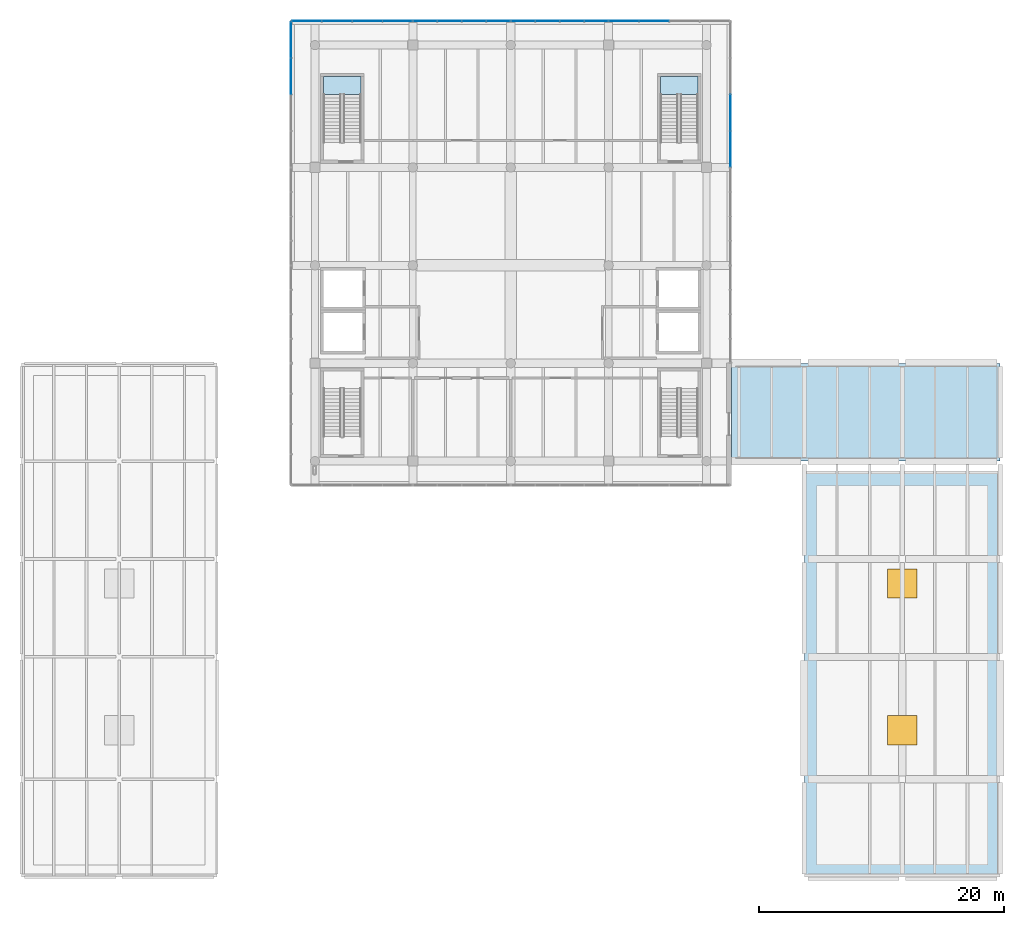
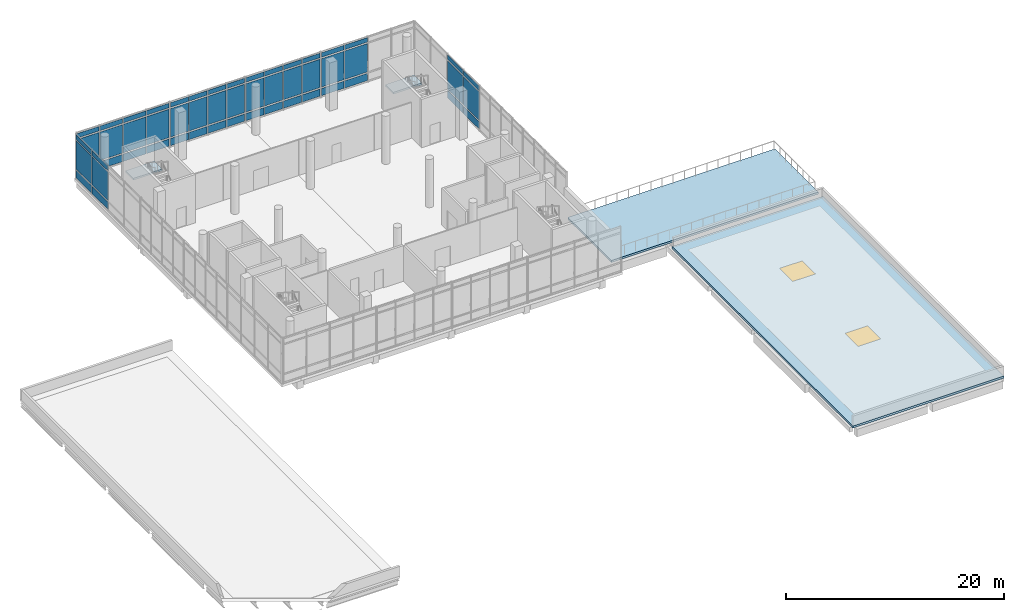
# One storey, part 12 of 20: 54 plates, 4 slabs, 2 windows, 2 openings, 8 elements without a shape of their own.
"""IFC4 building model written with IfcOpenShell, lengths in metres."""

from ifc_helpers import new_model, si_unit, direction, frame, origin, origin_2d, place, context, subcontext, project, spatial, polyline, rectangle, outline, extrude, material, layer, layer_set, type_object, element, fill, aggregate, save


model = new_model("IFC4")

# Units and contexts
model_context = context("Model", 3, precision=1e-05, world=origin(), true_north=direction((0.0, 1.0)))
body_context = subcontext(model_context, "Body", "Model", "MODEL_VIEW")
ifc_project = project(units=[si_unit("LENGTHUNIT", "METRE"), si_unit("AREAUNIT", "SQUARE_METRE"), si_unit("VOLUMEUNIT", "CUBIC_METRE"), si_unit("PLANEANGLEUNIT", "RADIAN"), si_unit("MASSUNIT", "GRAM", prefix="KILO")], contexts=[model_context])

# Site, building, storey
site_placement = place(None, origin())
site = spatial("IfcSite", under=ifc_project, at=site_placement, CompositionType="ELEMENT")
building_placement = place(site_placement, origin())
building = spatial("IfcBuilding", under=site, at=building_placement, Name="Pecanmere Concourse Central Library", CompositionType="ELEMENT")
storey_placement = place(building_placement, frame((0.0, 0.0, 24.89990234375)))
storey = spatial("IfcBuildingStorey", under=building, at=storey_placement, Name="L06", CompositionType="ELEMENT", Elevation=24.89990234375)

# Curtain wall, plates
ifc_material_1 = material(Name="Anodized bronze aluminium alloy 6063-T6", Category="aluminium")
curtain_wall_type = type_object("IfcCurtainWallType", Name="CW_PLUMB_BANDED", PredefinedType="USERDEFINED", material=ifc_material_1)
curtain_wall_1_placement = place(storey_placement, origin())
curtain_wall_1 = element("IfcCurtainWall", 1, at=curtain_wall_1_placement, inside=storey, type_object=curtain_wall_type, Name="Unitised Curtain Wall CW-02 L06-070", ObjectType="UNITISED CURTAIN WALL", PredefinedType="USERDEFINED")
ifc_material_2 = material(Name="White ceramic-fritted insulated spandrel glazing", Category="glass")
ifc_layer_1 = layer(ifc_material_2, 0.053955078125, Name="CWP_SPN_54")
ifc_layer_set_1 = layer_set([ifc_layer_1], Name="White ceramic-fritted insulated spandrel glazing")
plate_type_1 = type_object("IfcPlateType", Name="CWP_SPN_54", PredefinedType="CURTAIN_PANEL", material=ifc_layer_set_1)
plate_1_placement = place(storey_placement, frame((99.7236328125, 125.96142578125, 0.16015625), z_axis=(0.0, 0.0, 1.0), x_axis=(-1.0, 0.0, 0.0)))
plate_1 = element("IfcPlate", 2, at=plate_1_placement, type_object=plate_type_1, Name="CW-02 Spandrel Panel 3.1", PredefinedType="CURTAIN_PANEL", context=body_context, shape_type="SweptSolid", body=[
    extrude(rectangle(XDim=2.4140625, YDim=0.035888671875, at=origin_2d()), origin(), (0.0, 0.0, 1.0), 0.81005859375),
])
plate_2_placement = place(storey_placement, frame((97.2607421875, 125.96142578125, 0.16015625), z_axis=(0.0, 0.0, 1.0), x_axis=(-1.0, 0.0, 0.0)))
plate_2 = element("IfcPlate", 3, at=plate_2_placement, type_object=plate_type_1, Name="CW-02 Spandrel Panel 4.1", PredefinedType="CURTAIN_PANEL", context=body_context, shape_type="SweptSolid", body=[
    extrude(rectangle(XDim=2.381591796875, YDim=0.035888671875, at=origin_2d()), origin(), (0.0, 0.0, 1.0), 0.81005859375),
])

curtain_wall_2_placement = place(storey_placement, origin())
curtain_wall_2 = element("IfcCurtainWall", 4, at=curtain_wall_2_placement, inside=storey, type_object=curtain_wall_type, Name="Unitised Curtain Wall CW-02 L06-071", ObjectType="UNITISED CURTAIN WALL", PredefinedType="USERDEFINED")
plate_3_placement = place(storey_placement, frame((94.97998046875, 125.96142578125, 0.16015625), z_axis=(0.0, 0.0, 1.0), x_axis=(-1.0, 0.0, 0.0)))
plate_3 = element("IfcPlate", 5, at=plate_3_placement, type_object=plate_type_1, Name="CW-02 Spandrel Panel 1.1", PredefinedType="CURTAIN_PANEL", context=body_context, shape_type="SweptSolid", body=[
    extrude(rectangle(XDim=1.89990234375, YDim=0.035888671875, at=origin_2d()), origin(), (0.0, 0.0, 1.0), 0.81005859375),
])
plate_4_placement = place(storey_placement, frame((92.998779296875, 125.96142578125, 0.16015625), z_axis=(0.0, 0.0, 1.0), x_axis=(-1.0, 0.0, 0.0)))
plate_4 = element("IfcPlate", 6, at=plate_4_placement, type_object=plate_type_1, Name="CW-02 Spandrel Panel 2.1", PredefinedType="CURTAIN_PANEL", context=body_context, shape_type="SweptSolid", body=[
    extrude(rectangle(XDim=1.9326171875, YDim=0.035888671875, at=origin_2d()), origin(), (0.0, 0.0, 1.0), 0.81005859375),
])
plate_5_placement = place(storey_placement, frame((91.001220703125, 125.96142578125, 0.16015625), z_axis=(0.0, 0.0, 1.0), x_axis=(-1.0, 0.0, 0.0)))
plate_5 = element("IfcPlate", 7, at=plate_5_placement, type_object=plate_type_1, Name="CW-02 Spandrel Panel 3.1", PredefinedType="CURTAIN_PANEL", context=body_context, shape_type="SweptSolid", body=[
    extrude(rectangle(XDim=1.9326171875, YDim=0.035888671875, at=origin_2d()), origin(), (0.0, 0.0, 1.0), 0.81005859375),
])
plate_6_placement = place(storey_placement, frame((89.02001953125, 125.96142578125, 0.16015625), z_axis=(0.0, 0.0, 1.0), x_axis=(-1.0, 0.0, 0.0)))
plate_6 = element("IfcPlate", 8, at=plate_6_placement, type_object=plate_type_1, Name="CW-02 Spandrel Panel 4.1", PredefinedType="CURTAIN_PANEL", context=body_context, shape_type="SweptSolid", body=[
    extrude(rectangle(XDim=1.89990234375, YDim=0.035888671875, at=origin_2d()), origin(), (0.0, 0.0, 1.0), 0.81005859375),
])

curtain_wall_3_placement = place(storey_placement, origin())
curtain_wall_3 = element("IfcCurtainWall", 9, at=curtain_wall_3_placement, inside=storey, type_object=curtain_wall_type, Name="Unitised Curtain Wall CW-02 L06-072", ObjectType="UNITISED CURTAIN WALL", PredefinedType="USERDEFINED")
plate_7_placement = place(storey_placement, frame((86.97998046875, 125.96142578125, 0.16015625), z_axis=(0.0, 0.0, 1.0), x_axis=(-1.0, 0.0, 0.0)))
plate_7 = element("IfcPlate", 10, at=plate_7_placement, type_object=plate_type_1, Name="CW-02 Spandrel Panel 1.1", PredefinedType="CURTAIN_PANEL", context=body_context, shape_type="SweptSolid", body=[
    extrude(rectangle(XDim=1.89990234375, YDim=0.035888671875, at=origin_2d()), origin(), (0.0, 0.0, 1.0), 0.81005859375),
])
plate_8_placement = place(storey_placement, frame((84.998779296875, 125.96142578125, 0.16015625), z_axis=(0.0, 0.0, 1.0), x_axis=(-1.0, 0.0, 0.0)))
plate_8 = element("IfcPlate", 11, at=plate_8_placement, type_object=plate_type_1, Name="CW-02 Spandrel Panel 2.1", PredefinedType="CURTAIN_PANEL", context=body_context, shape_type="SweptSolid", body=[
    extrude(rectangle(XDim=1.9326171875, YDim=0.035888671875, at=origin_2d()), origin(), (0.0, 0.0, 1.0), 0.81005859375),
])
plate_9_placement = place(storey_placement, frame((83.001220703125, 125.96142578125, 0.16015625), z_axis=(0.0, 0.0, 1.0), x_axis=(-1.0, 0.0, 0.0)))
plate_9 = element("IfcPlate", 12, at=plate_9_placement, type_object=plate_type_1, Name="CW-02 Spandrel Panel 3.1", PredefinedType="CURTAIN_PANEL", context=body_context, shape_type="SweptSolid", body=[
    extrude(rectangle(XDim=1.9326171875, YDim=0.035888671875, at=origin_2d()), origin(), (0.0, 0.0, 1.0), 0.81005859375),
])
plate_10_placement = place(storey_placement, frame((81.02001953125, 125.96142578125, 0.16015625), z_axis=(0.0, 0.0, 1.0), x_axis=(-1.0, 0.0, 0.0)))
plate_10 = element("IfcPlate", 13, at=plate_10_placement, type_object=plate_type_1, Name="CW-02 Spandrel Panel 4.1", PredefinedType="CURTAIN_PANEL", context=body_context, shape_type="SweptSolid", body=[
    extrude(rectangle(XDim=1.89990234375, YDim=0.035888671875, at=origin_2d()), origin(), (0.0, 0.0, 1.0), 0.81005859375),
])

curtain_wall_4_placement = place(storey_placement, origin())
curtain_wall_4 = element("IfcCurtainWall", 14, at=curtain_wall_4_placement, inside=storey, type_object=curtain_wall_type, Name="Unitised Curtain Wall CW-02 L06-073", ObjectType="UNITISED CURTAIN WALL", PredefinedType="USERDEFINED")
plate_11_placement = place(storey_placement, frame((78.7392578125, 125.96142578125, 0.16015625), z_axis=(0.0, 0.0, 1.0), x_axis=(-1.0, 0.0, 0.0)))
plate_11 = element("IfcPlate", 15, at=plate_11_placement, type_object=plate_type_1, Name="CW-02 Spandrel Panel 1.1", PredefinedType="CURTAIN_PANEL", context=body_context, shape_type="SweptSolid", body=[
    extrude(rectangle(XDim=2.381591796875, YDim=0.035888671875, at=origin_2d()), origin(), (0.0, 0.0, 1.0), 0.81005859375),
])
plate_12_placement = place(storey_placement, frame((76.2763671875, 125.96142578125, 0.16015625), z_axis=(0.0, 0.0, 1.0), x_axis=(-1.0, 0.0, 0.0)))
plate_12 = element("IfcPlate", 16, at=plate_12_placement, type_object=plate_type_1, Name="CW-02 Spandrel Panel 2.1", PredefinedType="CURTAIN_PANEL", context=body_context, shape_type="SweptSolid", body=[
    extrude(rectangle(XDim=2.4140625, YDim=0.035888671875, at=origin_2d()), origin(), (0.0, 0.0, 1.0), 0.81005859375),
])
plate_13_placement = place(storey_placement, frame((73.797119140625, 125.96142578125, 0.16015625), z_axis=(0.0, 0.0, 1.0), x_axis=(-1.0, 0.0, 0.0)))
plate_13 = element("IfcPlate", 17, at=plate_13_placement, type_object=plate_type_1, Name="CW-02 Spandrel Panel 3.1", PredefinedType="CURTAIN_PANEL", context=body_context, shape_type="SweptSolid", body=[
    extrude(rectangle(XDim=2.4140625, YDim=0.035888671875, at=origin_2d()), origin(), (0.0, 0.0, 1.0), 0.81005859375),
])
plate_14_placement = place(storey_placement, frame((71.334228515625, 125.96142578125, 0.16015625), z_axis=(0.0, 0.0, 1.0), x_axis=(-1.0, 0.0, 0.0)))
plate_14 = element("IfcPlate", 18, at=plate_14_placement, type_object=plate_type_1, Name="CW-02 Spandrel Panel 4.1", PredefinedType="CURTAIN_PANEL", context=body_context, shape_type="SweptSolid", body=[
    extrude(rectangle(XDim=2.381591796875, YDim=0.035888671875, at=origin_2d()), origin(), (0.0, 0.0, 1.0), 0.81005859375),
])

curtain_wall_5_placement = place(storey_placement, origin())
curtain_wall_5 = element("IfcCurtainWall", 19, at=curtain_wall_5_placement, inside=storey, type_object=curtain_wall_type, Name="Unitised Curtain Wall CW-02 L06-080", ObjectType="UNITISED CURTAIN WALL", PredefinedType="USERDEFINED")
plate_15_placement = place(storey_placement, frame((105.96142578125, 115.5107421875, 0.16015625), z_axis=(0.0, 0.0, 1.0), x_axis=(0.0, 1.0, 0.0)))
plate_15 = element("IfcPlate", 20, at=plate_15_placement, type_object=plate_type_1, Name="CW-02 Spandrel Panel 1.1", PredefinedType="CURTAIN_PANEL", context=body_context, shape_type="SweptSolid", body=[
    extrude(rectangle(XDim=2.881591796875, YDim=0.035888671875, at=origin_2d()), origin(), (0.0, 0.0, 1.0), 0.81005859375),
])
plate_16_placement = place(storey_placement, frame((105.96142578125, 118.4736328125, 0.16015625), z_axis=(0.0, 0.0, 1.0), x_axis=(0.0, 1.0, 0.0)))
plate_16 = element("IfcPlate", 21, at=plate_16_placement, type_object=plate_type_1, Name="CW-02 Spandrel Panel 2.1", PredefinedType="CURTAIN_PANEL", context=body_context, shape_type="SweptSolid", body=[
    extrude(rectangle(XDim=2.9140625, YDim=0.035888671875, at=origin_2d()), origin(), (0.0, 0.0, 1.0), 0.81005859375),
])

curtain_wall_6_placement = place(storey_placement, origin())
curtain_wall_6 = element("IfcCurtainWall", 22, at=curtain_wall_6_placement, inside=storey, type_object=curtain_wall_type, Name="Unitised Curtain Wall CW-02 L06-081", ObjectType="UNITISED CURTAIN WALL", PredefinedType="USERDEFINED")
plate_17_placement = place(storey_placement, frame((70.03857421875, 124.415771484375, 0.16015625), z_axis=(0.0, 0.0, 1.0), x_axis=(0.0, -1.0, 0.0)))
plate_17 = element("IfcPlate", 23, at=plate_17_placement, type_object=plate_type_1, Name="CW-02 Spandrel Panel 1.1", PredefinedType="CURTAIN_PANEL", context=body_context, shape_type="SweptSolid", body=[
    extrude(rectangle(XDim=2.881591796875, YDim=0.035888671875, at=origin_2d()), origin(), (0.0, 0.0, 1.0), 0.81005859375),
])
plate_18_placement = place(storey_placement, frame((70.03857421875, 121.452880859375, 0.16015625), z_axis=(0.0, 0.0, 1.0), x_axis=(0.0, -1.0, 0.0)))
plate_18 = element("IfcPlate", 24, at=plate_18_placement, type_object=plate_type_1, Name="CW-02 Spandrel Panel 2.1", PredefinedType="CURTAIN_PANEL", context=body_context, shape_type="SweptSolid", body=[
    extrude(rectangle(XDim=2.9140625, YDim=0.035888671875, at=origin_2d()), origin(), (0.0, 0.0, 1.0), 0.81005859375),
])

# Plate
ifc_material_3 = material(Name="Low-iron clear insulated glazing", Category="glass")
ifc_layer_2 = layer(ifc_material_3, 0.035888671875, Name="CWP_VIS_36")
ifc_layer_set_2 = layer_set([ifc_layer_2], Name="Low-iron clear insulated glazing")
plate_type_2 = type_object("IfcPlateType", Name="CWP_VIS_36", PredefinedType="CURTAIN_PANEL", material=ifc_layer_set_2)
plate_19_placement = place(storey_placement, frame((99.7236328125, 125.96142578125, 1.13037109375), z_axis=(0.0, 0.0, 1.0), x_axis=(-1.0, 0.0, 0.0)))
plate_19 = element("IfcPlate", 25, at=plate_19_placement, type_object=plate_type_2, Name="CW-02 Vision Panel 3.2", PredefinedType="CURTAIN_PANEL", context=body_context, shape_type="SweptSolid", body=[
    extrude(rectangle(XDim=2.4140625, YDim=0.035888671875, at=origin_2d()), origin(), (0.0, 0.0, 1.0), 3.179931640625),
])

plate_20_placement = place(storey_placement, frame((99.7236328125, 125.96142578125, 4.47021484375), z_axis=(0.0, 0.0, 1.0), x_axis=(-1.0, 0.0, 0.0)))
plate_20 = element("IfcPlate", 26, at=plate_20_placement, type_object=plate_type_2, Name="CW-02 Vision Panel 3.3", PredefinedType="CURTAIN_PANEL", context=body_context, shape_type="SweptSolid", body=[
    extrude(rectangle(XDim=2.4140625, YDim=0.035888671875, at=origin_2d()), origin(), (0.0, 0.0, 1.0), 0.510009765625),
])

plate_21_placement = place(storey_placement, frame((97.2607421875, 125.96142578125, 1.13037109375), z_axis=(0.0, 0.0, 1.0), x_axis=(-1.0, 0.0, 0.0)))
plate_21 = element("IfcPlate", 27, at=plate_21_placement, type_object=plate_type_2, Name="CW-02 Vision Panel 4.2", PredefinedType="CURTAIN_PANEL", context=body_context, shape_type="SweptSolid", body=[
    extrude(rectangle(XDim=2.381591796875, YDim=0.035888671875, at=origin_2d()), origin(), (0.0, 0.0, 1.0), 3.179931640625),
])

plate_22_placement = place(storey_placement, frame((97.2607421875, 125.96142578125, 4.47021484375), z_axis=(0.0, 0.0, 1.0), x_axis=(-1.0, 0.0, 0.0)))
plate_22 = element("IfcPlate", 28, at=plate_22_placement, type_object=plate_type_2, Name="CW-02 Vision Panel 4.3", PredefinedType="CURTAIN_PANEL", context=body_context, shape_type="SweptSolid", body=[
    extrude(rectangle(XDim=2.381591796875, YDim=0.035888671875, at=origin_2d()), origin(), (0.0, 0.0, 1.0), 0.510009765625),
])

aggregate(curtain_wall_1, [plate_1, plate_19, plate_20, plate_2, plate_21, plate_22])

plate_23_placement = place(storey_placement, frame((94.97998046875, 125.96142578125, 1.13037109375), z_axis=(0.0, 0.0, 1.0), x_axis=(-1.0, 0.0, 0.0)))
plate_23 = element("IfcPlate", 29, at=plate_23_placement, type_object=plate_type_2, Name="CW-02 Vision Panel 1.2", PredefinedType="CURTAIN_PANEL", context=body_context, shape_type="SweptSolid", body=[
    extrude(rectangle(XDim=1.89990234375, YDim=0.035888671875, at=origin_2d()), origin(), (0.0, 0.0, 1.0), 3.179931640625),
])

plate_24_placement = place(storey_placement, frame((94.97998046875, 125.96142578125, 4.47021484375), z_axis=(0.0, 0.0, 1.0), x_axis=(-1.0, 0.0, 0.0)))
plate_24 = element("IfcPlate", 30, at=plate_24_placement, type_object=plate_type_2, Name="CW-02 Vision Panel 1.3", PredefinedType="CURTAIN_PANEL", context=body_context, shape_type="SweptSolid", body=[
    extrude(rectangle(XDim=1.89990234375, YDim=0.035888671875, at=origin_2d()), origin(), (0.0, 0.0, 1.0), 0.510009765625),
])

plate_25_placement = place(storey_placement, frame((92.998779296875, 125.96142578125, 1.13037109375), z_axis=(0.0, 0.0, 1.0), x_axis=(-1.0, 0.0, 0.0)))
plate_25 = element("IfcPlate", 31, at=plate_25_placement, type_object=plate_type_2, Name="CW-02 Vision Panel 2.2", PredefinedType="CURTAIN_PANEL", context=body_context, shape_type="SweptSolid", body=[
    extrude(rectangle(XDim=1.9326171875, YDim=0.035888671875, at=origin_2d()), origin(), (0.0, 0.0, 1.0), 3.179931640625),
])

plate_26_placement = place(storey_placement, frame((92.998779296875, 125.96142578125, 4.47021484375), z_axis=(0.0, 0.0, 1.0), x_axis=(-1.0, 0.0, 0.0)))
plate_26 = element("IfcPlate", 32, at=plate_26_placement, type_object=plate_type_2, Name="CW-02 Vision Panel 2.3", PredefinedType="CURTAIN_PANEL", context=body_context, shape_type="SweptSolid", body=[
    extrude(rectangle(XDim=1.9326171875, YDim=0.035888671875, at=origin_2d()), origin(), (0.0, 0.0, 1.0), 0.510009765625),
])

plate_27_placement = place(storey_placement, frame((91.001220703125, 125.96142578125, 1.13037109375), z_axis=(0.0, 0.0, 1.0), x_axis=(-1.0, 0.0, 0.0)))
plate_27 = element("IfcPlate", 33, at=plate_27_placement, type_object=plate_type_2, Name="CW-02 Vision Panel 3.2", PredefinedType="CURTAIN_PANEL", context=body_context, shape_type="SweptSolid", body=[
    extrude(rectangle(XDim=1.9326171875, YDim=0.035888671875, at=origin_2d()), origin(), (0.0, 0.0, 1.0), 3.179931640625),
])

plate_28_placement = place(storey_placement, frame((91.001220703125, 125.96142578125, 4.47021484375), z_axis=(0.0, 0.0, 1.0), x_axis=(-1.0, 0.0, 0.0)))
plate_28 = element("IfcPlate", 34, at=plate_28_placement, type_object=plate_type_2, Name="CW-02 Vision Panel 3.3", PredefinedType="CURTAIN_PANEL", context=body_context, shape_type="SweptSolid", body=[
    extrude(rectangle(XDim=1.9326171875, YDim=0.035888671875, at=origin_2d()), origin(), (0.0, 0.0, 1.0), 0.510009765625),
])

plate_29_placement = place(storey_placement, frame((89.02001953125, 125.96142578125, 1.13037109375), z_axis=(0.0, 0.0, 1.0), x_axis=(-1.0, 0.0, 0.0)))
plate_29 = element("IfcPlate", 35, at=plate_29_placement, type_object=plate_type_2, Name="CW-02 Vision Panel 4.2", PredefinedType="CURTAIN_PANEL", context=body_context, shape_type="SweptSolid", body=[
    extrude(rectangle(XDim=1.89990234375, YDim=0.035888671875, at=origin_2d()), origin(), (0.0, 0.0, 1.0), 3.179931640625),
])

plate_30_placement = place(storey_placement, frame((89.02001953125, 125.96142578125, 4.47021484375), z_axis=(0.0, 0.0, 1.0), x_axis=(-1.0, 0.0, 0.0)))
plate_30 = element("IfcPlate", 36, at=plate_30_placement, type_object=plate_type_2, Name="CW-02 Vision Panel 4.3", PredefinedType="CURTAIN_PANEL", context=body_context, shape_type="SweptSolid", body=[
    extrude(rectangle(XDim=1.89990234375, YDim=0.035888671875, at=origin_2d()), origin(), (0.0, 0.0, 1.0), 0.510009765625),
])

aggregate(curtain_wall_2, [plate_3, plate_23, plate_24, plate_4, plate_25, plate_26, plate_5, plate_27, plate_28, plate_6, plate_29, plate_30])

plate_31_placement = place(storey_placement, frame((86.97998046875, 125.96142578125, 1.13037109375), z_axis=(0.0, 0.0, 1.0), x_axis=(-1.0, 0.0, 0.0)))
plate_31 = element("IfcPlate", 37, at=plate_31_placement, type_object=plate_type_2, Name="CW-02 Vision Panel 1.2", PredefinedType="CURTAIN_PANEL", context=body_context, shape_type="SweptSolid", body=[
    extrude(rectangle(XDim=1.89990234375, YDim=0.035888671875, at=origin_2d()), origin(), (0.0, 0.0, 1.0), 3.179931640625),
])

plate_32_placement = place(storey_placement, frame((86.97998046875, 125.96142578125, 4.47021484375), z_axis=(0.0, 0.0, 1.0), x_axis=(-1.0, 0.0, 0.0)))
plate_32 = element("IfcPlate", 38, at=plate_32_placement, type_object=plate_type_2, Name="CW-02 Vision Panel 1.3", PredefinedType="CURTAIN_PANEL", context=body_context, shape_type="SweptSolid", body=[
    extrude(rectangle(XDim=1.89990234375, YDim=0.035888671875, at=origin_2d()), origin(), (0.0, 0.0, 1.0), 0.510009765625),
])

plate_33_placement = place(storey_placement, frame((84.998779296875, 125.96142578125, 1.13037109375), z_axis=(0.0, 0.0, 1.0), x_axis=(-1.0, 0.0, 0.0)))
plate_33 = element("IfcPlate", 39, at=plate_33_placement, type_object=plate_type_2, Name="CW-02 Vision Panel 2.2", PredefinedType="CURTAIN_PANEL", context=body_context, shape_type="SweptSolid", body=[
    extrude(rectangle(XDim=1.9326171875, YDim=0.035888671875, at=origin_2d()), origin(), (0.0, 0.0, 1.0), 3.179931640625),
])

plate_34_placement = place(storey_placement, frame((84.998779296875, 125.96142578125, 4.47021484375), z_axis=(0.0, 0.0, 1.0), x_axis=(-1.0, 0.0, 0.0)))
plate_34 = element("IfcPlate", 40, at=plate_34_placement, type_object=plate_type_2, Name="CW-02 Vision Panel 2.3", PredefinedType="CURTAIN_PANEL", context=body_context, shape_type="SweptSolid", body=[
    extrude(rectangle(XDim=1.9326171875, YDim=0.035888671875, at=origin_2d()), origin(), (0.0, 0.0, 1.0), 0.510009765625),
])

plate_35_placement = place(storey_placement, frame((83.001220703125, 125.96142578125, 1.13037109375), z_axis=(0.0, 0.0, 1.0), x_axis=(-1.0, 0.0, 0.0)))
plate_35 = element("IfcPlate", 41, at=plate_35_placement, type_object=plate_type_2, Name="CW-02 Vision Panel 3.2", PredefinedType="CURTAIN_PANEL", context=body_context, shape_type="SweptSolid", body=[
    extrude(rectangle(XDim=1.9326171875, YDim=0.035888671875, at=origin_2d()), origin(), (0.0, 0.0, 1.0), 3.179931640625),
])

plate_36_placement = place(storey_placement, frame((83.001220703125, 125.96142578125, 4.47021484375), z_axis=(0.0, 0.0, 1.0), x_axis=(-1.0, 0.0, 0.0)))
plate_36 = element("IfcPlate", 42, at=plate_36_placement, type_object=plate_type_2, Name="CW-02 Vision Panel 3.3", PredefinedType="CURTAIN_PANEL", context=body_context, shape_type="SweptSolid", body=[
    extrude(rectangle(XDim=1.9326171875, YDim=0.035888671875, at=origin_2d()), origin(), (0.0, 0.0, 1.0), 0.510009765625),
])

plate_37_placement = place(storey_placement, frame((81.02001953125, 125.96142578125, 1.13037109375), z_axis=(0.0, 0.0, 1.0), x_axis=(-1.0, 0.0, 0.0)))
plate_37 = element("IfcPlate", 43, at=plate_37_placement, type_object=plate_type_2, Name="CW-02 Vision Panel 4.2", PredefinedType="CURTAIN_PANEL", context=body_context, shape_type="SweptSolid", body=[
    extrude(rectangle(XDim=1.89990234375, YDim=0.035888671875, at=origin_2d()), origin(), (0.0, 0.0, 1.0), 3.179931640625),
])

plate_38_placement = place(storey_placement, frame((81.02001953125, 125.96142578125, 4.47021484375), z_axis=(0.0, 0.0, 1.0), x_axis=(-1.0, 0.0, 0.0)))
plate_38 = element("IfcPlate", 44, at=plate_38_placement, type_object=plate_type_2, Name="CW-02 Vision Panel 4.3", PredefinedType="CURTAIN_PANEL", context=body_context, shape_type="SweptSolid", body=[
    extrude(rectangle(XDim=1.89990234375, YDim=0.035888671875, at=origin_2d()), origin(), (0.0, 0.0, 1.0), 0.510009765625),
])

aggregate(curtain_wall_3, [plate_7, plate_31, plate_32, plate_8, plate_33, plate_34, plate_9, plate_35, plate_36, plate_10, plate_37, plate_38])

plate_39_placement = place(storey_placement, frame((78.7392578125, 125.96142578125, 1.13037109375), z_axis=(0.0, 0.0, 1.0), x_axis=(-1.0, 0.0, 0.0)))
plate_39 = element("IfcPlate", 45, at=plate_39_placement, type_object=plate_type_2, Name="CW-02 Vision Panel 1.2", PredefinedType="CURTAIN_PANEL", context=body_context, shape_type="SweptSolid", body=[
    extrude(rectangle(XDim=2.381591796875, YDim=0.035888671875, at=origin_2d()), origin(), (0.0, 0.0, 1.0), 3.179931640625),
])

plate_40_placement = place(storey_placement, frame((78.7392578125, 125.96142578125, 4.47021484375), z_axis=(0.0, 0.0, 1.0), x_axis=(-1.0, 0.0, 0.0)))
plate_40 = element("IfcPlate", 46, at=plate_40_placement, type_object=plate_type_2, Name="CW-02 Vision Panel 1.3", PredefinedType="CURTAIN_PANEL", context=body_context, shape_type="SweptSolid", body=[
    extrude(rectangle(XDim=2.381591796875, YDim=0.035888671875, at=origin_2d()), origin(), (0.0, 0.0, 1.0), 0.510009765625),
])

plate_41_placement = place(storey_placement, frame((76.2763671875, 125.96142578125, 1.13037109375), z_axis=(0.0, 0.0, 1.0), x_axis=(-1.0, 0.0, 0.0)))
plate_41 = element("IfcPlate", 47, at=plate_41_placement, type_object=plate_type_2, Name="CW-02 Vision Panel 2.2", PredefinedType="CURTAIN_PANEL", context=body_context, shape_type="SweptSolid", body=[
    extrude(rectangle(XDim=2.4140625, YDim=0.035888671875, at=origin_2d()), origin(), (0.0, 0.0, 1.0), 3.179931640625),
])

plate_42_placement = place(storey_placement, frame((76.2763671875, 125.96142578125, 4.47021484375), z_axis=(0.0, 0.0, 1.0), x_axis=(-1.0, 0.0, 0.0)))
plate_42 = element("IfcPlate", 48, at=plate_42_placement, type_object=plate_type_2, Name="CW-02 Vision Panel 2.3", PredefinedType="CURTAIN_PANEL", context=body_context, shape_type="SweptSolid", body=[
    extrude(rectangle(XDim=2.4140625, YDim=0.035888671875, at=origin_2d()), origin(), (0.0, 0.0, 1.0), 0.510009765625),
])

plate_43_placement = place(storey_placement, frame((73.797119140625, 125.96142578125, 1.13037109375), z_axis=(0.0, 0.0, 1.0), x_axis=(-1.0, 0.0, 0.0)))
plate_43 = element("IfcPlate", 49, at=plate_43_placement, type_object=plate_type_2, Name="CW-02 Vision Panel 3.2", PredefinedType="CURTAIN_PANEL", context=body_context, shape_type="SweptSolid", body=[
    extrude(rectangle(XDim=2.4140625, YDim=0.035888671875, at=origin_2d()), origin(), (0.0, 0.0, 1.0), 3.179931640625),
])

plate_44_placement = place(storey_placement, frame((73.797119140625, 125.96142578125, 4.47021484375), z_axis=(0.0, 0.0, 1.0), x_axis=(-1.0, 0.0, 0.0)))
plate_44 = element("IfcPlate", 50, at=plate_44_placement, type_object=plate_type_2, Name="CW-02 Vision Panel 3.3", PredefinedType="CURTAIN_PANEL", context=body_context, shape_type="SweptSolid", body=[
    extrude(rectangle(XDim=2.4140625, YDim=0.035888671875, at=origin_2d()), origin(), (0.0, 0.0, 1.0), 0.510009765625),
])

plate_45_placement = place(storey_placement, frame((71.334228515625, 125.96142578125, 1.13037109375), z_axis=(0.0, 0.0, 1.0), x_axis=(-1.0, 0.0, 0.0)))
plate_45 = element("IfcPlate", 51, at=plate_45_placement, type_object=plate_type_2, Name="CW-02 Vision Panel 4.2", PredefinedType="CURTAIN_PANEL", context=body_context, shape_type="SweptSolid", body=[
    extrude(rectangle(XDim=2.381591796875, YDim=0.035888671875, at=origin_2d()), origin(), (0.0, 0.0, 1.0), 3.179931640625),
])

plate_46_placement = place(storey_placement, frame((71.334228515625, 125.96142578125, 4.47021484375), z_axis=(0.0, 0.0, 1.0), x_axis=(-1.0, 0.0, 0.0)))
plate_46 = element("IfcPlate", 52, at=plate_46_placement, type_object=plate_type_2, Name="CW-02 Vision Panel 4.3", PredefinedType="CURTAIN_PANEL", context=body_context, shape_type="SweptSolid", body=[
    extrude(rectangle(XDim=2.381591796875, YDim=0.035888671875, at=origin_2d()), origin(), (0.0, 0.0, 1.0), 0.510009765625),
])

aggregate(curtain_wall_4, [plate_11, plate_39, plate_40, plate_12, plate_41, plate_42, plate_13, plate_43, plate_44, plate_14, plate_45, plate_46])

plate_47_placement = place(storey_placement, frame((105.96142578125, 115.5107421875, 1.13037109375), z_axis=(0.0, 0.0, 1.0), x_axis=(0.0, 1.0, 0.0)))
plate_47 = element("IfcPlate", 53, at=plate_47_placement, type_object=plate_type_2, Name="CW-02 Vision Panel 1.2", PredefinedType="CURTAIN_PANEL", context=body_context, shape_type="SweptSolid", body=[
    extrude(rectangle(XDim=2.881591796875, YDim=0.035888671875, at=origin_2d()), origin(), (0.0, 0.0, 1.0), 3.179931640625),
])

plate_48_placement = place(storey_placement, frame((105.96142578125, 115.5107421875, 4.47021484375), z_axis=(0.0, 0.0, 1.0), x_axis=(0.0, 1.0, 0.0)))
plate_48 = element("IfcPlate", 54, at=plate_48_placement, type_object=plate_type_2, Name="CW-02 Vision Panel 1.3", PredefinedType="CURTAIN_PANEL", context=body_context, shape_type="SweptSolid", body=[
    extrude(rectangle(XDim=2.881591796875, YDim=0.035888671875, at=origin_2d()), origin(), (0.0, 0.0, 1.0), 0.510009765625),
])

plate_49_placement = place(storey_placement, frame((105.96142578125, 118.4736328125, 1.13037109375), z_axis=(0.0, 0.0, 1.0), x_axis=(0.0, 1.0, 0.0)))
plate_49 = element("IfcPlate", 55, at=plate_49_placement, type_object=plate_type_2, Name="CW-02 Vision Panel 2.2", PredefinedType="CURTAIN_PANEL", context=body_context, shape_type="SweptSolid", body=[
    extrude(rectangle(XDim=2.9140625, YDim=0.035888671875, at=origin_2d()), origin(), (0.0, 0.0, 1.0), 3.179931640625),
])

plate_50_placement = place(storey_placement, frame((105.96142578125, 118.4736328125, 4.47021484375), z_axis=(0.0, 0.0, 1.0), x_axis=(0.0, 1.0, 0.0)))
plate_50 = element("IfcPlate", 56, at=plate_50_placement, type_object=plate_type_2, Name="CW-02 Vision Panel 2.3", PredefinedType="CURTAIN_PANEL", context=body_context, shape_type="SweptSolid", body=[
    extrude(rectangle(XDim=2.9140625, YDim=0.035888671875, at=origin_2d()), origin(), (0.0, 0.0, 1.0), 0.510009765625),
])

aggregate(curtain_wall_5, [plate_15, plate_47, plate_48, plate_16, plate_49, plate_50])

plate_51_placement = place(storey_placement, frame((70.03857421875, 124.415771484375, 1.13037109375), z_axis=(0.0, 0.0, 1.0), x_axis=(0.0, -1.0, 0.0)))
plate_51 = element("IfcPlate", 57, at=plate_51_placement, type_object=plate_type_2, Name="CW-02 Vision Panel 1.2", PredefinedType="CURTAIN_PANEL", context=body_context, shape_type="SweptSolid", body=[
    extrude(rectangle(XDim=2.881591796875, YDim=0.035888671875, at=origin_2d()), origin(), (0.0, 0.0, 1.0), 3.179931640625),
])

plate_52_placement = place(storey_placement, frame((70.03857421875, 124.415771484375, 4.47021484375), z_axis=(0.0, 0.0, 1.0), x_axis=(0.0, -1.0, 0.0)))
plate_52 = element("IfcPlate", 58, at=plate_52_placement, type_object=plate_type_2, Name="CW-02 Vision Panel 1.3", PredefinedType="CURTAIN_PANEL", context=body_context, shape_type="SweptSolid", body=[
    extrude(rectangle(XDim=2.881591796875, YDim=0.035888671875, at=origin_2d()), origin(), (0.0, 0.0, 1.0), 0.510009765625),
])

plate_53_placement = place(storey_placement, frame((70.03857421875, 121.452880859375, 1.13037109375), z_axis=(0.0, 0.0, 1.0), x_axis=(0.0, -1.0, 0.0)))
plate_53 = element("IfcPlate", 59, at=plate_53_placement, type_object=plate_type_2, Name="CW-02 Vision Panel 2.2", PredefinedType="CURTAIN_PANEL", context=body_context, shape_type="SweptSolid", body=[
    extrude(rectangle(XDim=2.9140625, YDim=0.035888671875, at=origin_2d()), origin(), (0.0, 0.0, 1.0), 3.179931640625),
])

plate_54_placement = place(storey_placement, frame((70.03857421875, 121.452880859375, 4.47021484375), z_axis=(0.0, 0.0, 1.0), x_axis=(0.0, -1.0, 0.0)))
plate_54 = element("IfcPlate", 60, at=plate_54_placement, type_object=plate_type_2, Name="CW-02 Vision Panel 2.3", PredefinedType="CURTAIN_PANEL", context=body_context, shape_type="SweptSolid", body=[
    extrude(rectangle(XDim=2.9140625, YDim=0.035888671875, at=origin_2d()), origin(), (0.0, 0.0, 1.0), 0.510009765625),
])

aggregate(curtain_wall_6, [plate_17, plate_51, plate_52, plate_18, plate_53, plate_54])

# Stair, slab
ifc_material_4 = material(Name="Concrete C35/45", Category="concrete")
stair_type_1 = type_object("IfcStairType", Name="STAIR_TYPE_ST-03-1800", PredefinedType="USERDEFINED", material=ifc_material_4)
stair_1_placement = place(storey_placement, origin())
stair_1 = element("IfcStair", 61, at=stair_1_placement, inside=storey, type_object=stair_type_1, Name="L06 Protected Stair ST-03", ObjectType="TWO_RETURN_STAIR", PredefinedType="USERDEFINED")
ifc_material_5 = material(Name="Concrete C35/45", Category="concrete")
ifc_layer_3 = layer(ifc_material_5, 0.199951171875, Name="SLAB_LANDING_200")
ifc_layer_set_3 = layer_set([ifc_layer_3], Name="Concrete C35/45")
slab_type_1 = type_object("IfcSlabType", Name="SLAB_LANDING_200", PredefinedType="LANDING", material=ifc_layer_set_3)
slab_1_placement = place(storey_placement, frame((0.0, 0.0, 2.5)))
slab_1 = element("IfcSlab", 62, at=slab_1_placement, type_object=slab_type_1, Name="ST-03-1800 landing 1", PredefinedType="LANDING", context=body_context, shape_type="SweptSolid", body=[
    extrude(outline(polyline([(75.760009765625, 119.969970703125), (75.760009765625, 121.419921875), (72.699951171875, 121.419921875), (72.699951171875, 119.969970703125), (75.760009765625, 119.969970703125)])), origin(), (0.0, 0.0, 1.0), 0.2001953125),
])
aggregate(stair_1, [slab_1])

ifc_material_6 = material(Name="Concrete C35/45", Category="concrete")
stair_type_2 = type_object("IfcStairType", Name="STAIR_TYPE_ST-04-1800", PredefinedType="USERDEFINED", material=ifc_material_6)
stair_2_placement = place(storey_placement, origin())
stair_2 = element("IfcStair", 63, at=stair_2_placement, inside=storey, type_object=stair_type_2, Name="L06 Protected Stair ST-04", ObjectType="TWO_RETURN_STAIR", PredefinedType="USERDEFINED")
slab_2_placement = place(storey_placement, frame((0.0, 0.0, 2.5)))
slab_2 = element("IfcSlab", 64, at=slab_2_placement, type_object=slab_type_1, Name="ST-04-1800 landing 1", PredefinedType="LANDING", context=body_context, shape_type="SweptSolid", body=[
    extrude(outline(polyline([(103.300048828125, 119.969970703125), (103.300048828125, 121.419921875), (100.239990234375, 121.419921875), (100.239990234375, 119.969970703125), (103.300048828125, 119.969970703125)])), origin(), (0.0, 0.0, 1.0), 0.2001953125),
])
aggregate(stair_2, [slab_2])

# Slab, openings, windows
ifc_material_7 = material(Name="Concrete C35/45", Category="concrete")
ifc_layer_4 = layer(ifc_material_7, 0.239990234375, Name="SLAB_ROOF_240")
ifc_layer_set_4 = layer_set([ifc_layer_4], Name="Concrete C35/45")
slab_type_2 = type_object("IfcSlabType", Name="SLAB_ROOF_240", PredefinedType="ROOF", material=ifc_layer_set_4)
slab_3_placement = place(storey_placement, frame((0.0, 0.0, -0.239990234375)))
slab_3 = element("IfcSlab", 65, at=slab_3_placement, inside=storey, type_object=slab_type_2, Name="Wing Roof Slab ROOF_V2_TOP_L06", PredefinedType="ROOF", context=body_context, shape_type="SweptSolid", body=[
    extrude(outline(polyline([(128.0, 56.0), (128.0, 89.199951171875), (112.0, 89.199951171875), (112.0, 56.0), (128.0, 56.0)])), origin(), (0.0, 0.0, 1.0), 0.239990234375),
])
opening_1_placement = place(slab_3_placement, frame((120.0, 68.0, 0.0)))
opening_1 = element("IfcOpeningElement", 66, at=opening_1_placement, cuts=slab_3, Name="Opening SK-03", PredefinedType="OPENING", context=body_context, shape_type="SweptSolid", body=[
    extrude(rectangle(XDim=2.39990234375, YDim=2.39990234375, at=origin_2d()), origin(), (0.0, 0.0, 1.0), 0.239990234375),
])
opening_2_placement = place(slab_3_placement, frame((120.0, 80.0, 0.0)))
opening_2 = element("IfcOpeningElement", 67, at=opening_2_placement, cuts=slab_3, Name="Opening SK-03", PredefinedType="OPENING", context=body_context, shape_type="SweptSolid", body=[
    extrude(rectangle(XDim=2.39990234375, YDim=2.39990234375, at=origin_2d()), origin(), (0.0, 0.0, 1.0), 0.239990234375),
])
ifc_material_8 = material(Name="Laminated solar-control skylight glazing", Category="glass")
window_type = type_object("IfcWindowType", Name="SKY_2400x2400", PartitioningType="SINGLE_PANEL", PredefinedType="SKYLIGHT", material=ifc_material_8)
window_1_placement = place(opening_1_placement, frame((0.0, 0.0, 0.18994140625)))
window_1 = element("IfcWindow", 68, at=window_1_placement, inside=storey, type_object=window_type, Name="SK-07", OverallHeight=2.39990234375, OverallWidth=2.39990234375, PartitioningType="SINGLE_PANEL", PredefinedType="SKYLIGHT", context=body_context, shape_type="SweptSolid", body=[
    extrude(rectangle(XDim=2.39990234375, YDim=2.39990234375, at=origin_2d()), origin(), (0.0, 0.0, 1.0), 0.050048828125),
])
fill(opening_1, window_1)
window_2_placement = place(opening_2_placement, frame((0.0, 0.0, 0.18994140625)))
window_2 = element("IfcWindow", 69, at=window_2_placement, inside=storey, type_object=window_type, Name="SK-08", OverallHeight=2.39990234375, OverallWidth=2.39990234375, PartitioningType="SINGLE_PANEL", PredefinedType="SKYLIGHT", context=body_context, shape_type="SweptSolid", body=[
    extrude(rectangle(XDim=2.39990234375, YDim=2.39990234375, at=origin_2d()), origin(), (0.0, 0.0, 1.0), 0.050048828125),
])
fill(opening_2, window_2)

# Slab
ifc_material_9 = material(Name="Concrete C35/45", Category="concrete")
ifc_layer_5 = layer(ifc_material_9, 0.22509765625, Name="SLAB_TERR_225")
ifc_layer_set_5 = layer_set([ifc_layer_5], Name="Concrete C35/45")
slab_type_3 = type_object("IfcSlabType", Name="SLAB_TERR_225", PredefinedType="FLOOR", material=ifc_layer_set_5)
slab_4_placement = place(storey_placement, frame((0.0, 0.0, -0.224853515625)))
element("IfcSlab", 70, at=slab_4_placement, inside=storey, type_object=slab_type_3, Name="Planted East Roof Reading Garden", PredefinedType="FLOOR", context=body_context, shape_type="SweptSolid", body=[
    extrude(outline(polyline([(127.9951171875, 97.9951171875), (127.9951171875, 90.0048828125), (106.04638671875, 90.0048828125), (106.04638671875, 97.9951171875), (127.9951171875, 97.9951171875)])), origin(), (0.0, 0.0, 1.0), 0.224853515625),
])

save(model, "model.ifc")
